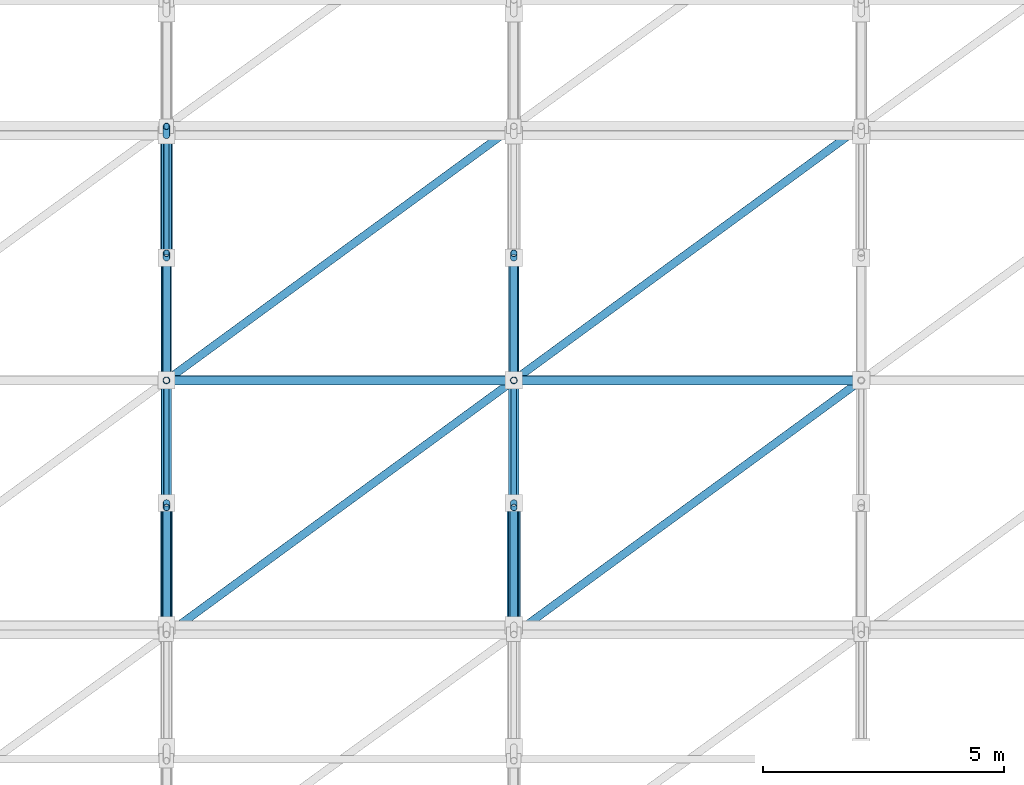
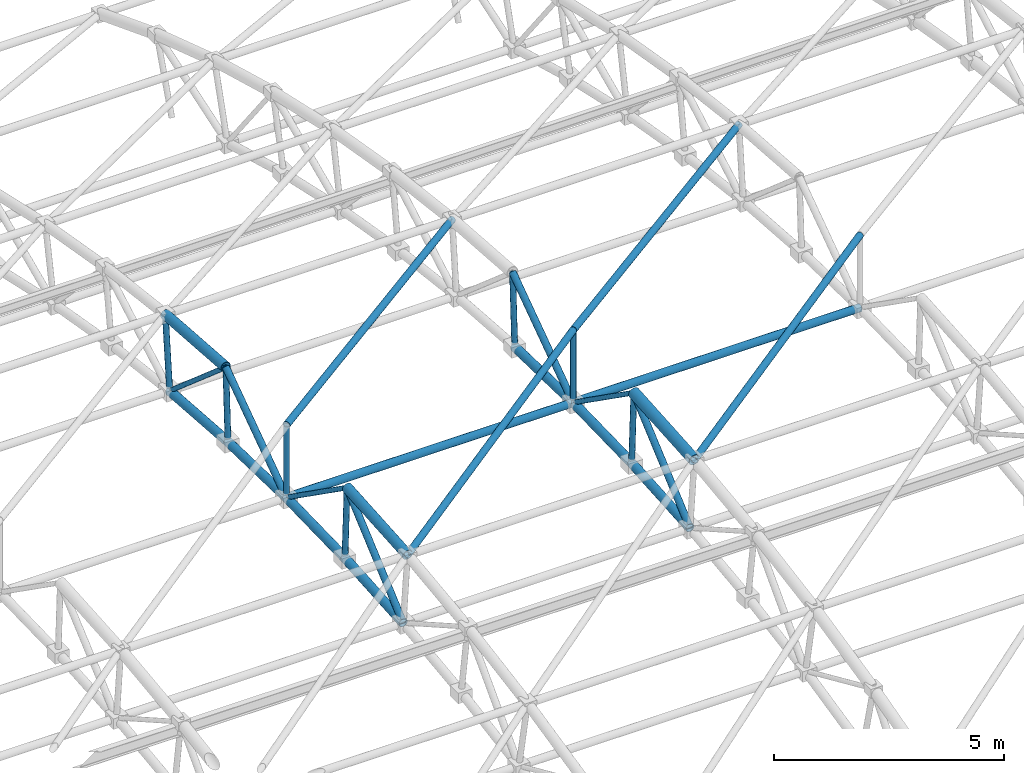
# One storey, part 19 of 41: 30 members.
"""IFC4 building model written with IfcOpenShell, lengths in metres."""

from ifc_helpers import new_model, si_unit, direction, frame, origin, origin_2d, place, context, subcontext, project, spatial, hollow_circle, extrude, material, material_profile, profile_set, type_object, element, save


model = new_model("IFC4")

# Units and contexts
model_context = context("Model", 3, precision=1e-05, world=origin(), true_north=direction((0.0, 1.0)))
body_context = subcontext(model_context, "Body", "Model", "MODEL_VIEW")
ifc_project = project(units=[si_unit("LENGTHUNIT", "METRE"), si_unit("AREAUNIT", "SQUARE_METRE"), si_unit("VOLUMEUNIT", "CUBIC_METRE"), si_unit("PLANEANGLEUNIT", "RADIAN"), si_unit("MASSUNIT", "GRAM", prefix="KILO")], contexts=[model_context])

# Site, building, storey
site_placement = place(None, origin())
site = spatial("IfcSite", under=ifc_project, at=site_placement, CompositionType="ELEMENT")
building_placement = place(site_placement, origin())
building = spatial("IfcBuilding", under=site, at=building_placement, Name="Malvenik Polytechnic", CompositionType="ELEMENT")
storey_placement = place(building_placement, frame((0.0, 0.0, 17.699951171875)))
storey = spatial("IfcBuildingStorey", under=building, at=storey_placement, Name="L04", CompositionType="ELEMENT", Elevation=17.699951171875)

# Members
ifc_material = material(Name="Steel S355J2H", Category="steel")
ifc_material_profile_1 = material_profile(ifc_material, hollow_circle(Radius=0.109619140625, WallThickness=0.010009765625, at=origin_2d()), Name="CHS 219.1x10.0")
ifc_profile_set_1 = profile_set([ifc_material_profile_1], Name="Steel S355J2H")
member_type_1 = type_object("IfcMemberType", Name="STR-MEM-SFB-02", PredefinedType="CHORD", material=ifc_profile_set_1)
for number, where, z_axis, x_axis, name in (
    (1, (170.39990234375, 59.72509765625, 2.155517578125), (0.0, 0.997310938626, 0.073286367738), (-1.0, 0.0, 0.0), "Space-Frame Tube SFB-02 STR-SF-BC-0506"),
    (2, (170.39990234375, 62.261474609375, 2.341796875), (0.0, 0.999700798264, 0.024460456869), (-1.0, 0.0, 0.0), "Space-Frame Tube SFB-02 STR-SF-BC-0508"),
):
    element("IfcMember", number, at=place(storey_placement, frame(where, z_axis=z_axis, x_axis=x_axis)), inside=storey, type_object=member_type_1, Name=name, PredefinedType="CHORD", context=body_context, shape_type="SweptSolid", body=[
        extrude(hollow_circle(Radius=0.109619140625, WallThickness=0.010009765625, at=origin_2d()), origin(), (0.0, 0.0, 1.0), 2.53515625),
    ])
member_1_placement = place(storey_placement, frame((170.39990234375, 64.803955078125, 2.40380859375), z_axis=(0.0, 0.999700855874, -0.024458102234), x_axis=(-1.0, 0.0, 0.0)))
element("IfcMember", 3, at=member_1_placement, inside=storey, type_object=member_type_1, Name="Space-Frame Tube SFB-02 STR-SF-BC-0510", PredefinedType="CHORD", context=body_context, shape_type="SweptSolid", body=[
    extrude(hollow_circle(Radius=0.109619140625, WallThickness=0.010009765625, at=origin_2d()), origin(), (0.0, 0.0, 1.0), 2.535400390625),
])
ifc_material_profile_2 = material_profile(ifc_material, hollow_circle(Radius=0.109619140625, WallThickness=0.008056640625, at=origin_2d()), Name="CHS 219.1x8.0")
ifc_profile_set_2 = profile_set([ifc_material_profile_2], Name="Steel S355J2H")
member_type_2 = type_object("IfcMemberType", Name="STR-MEM-SFB-03", PredefinedType="CHORD", material=ifc_profile_set_2)
for number, where, z_axis, x_axis, name in (
    (4, (163.199951171875, 59.72509765625, 2.155517578125), (0.0, 0.997310938626, 0.073286367738), (-1.0, 0.0, 0.0), "Space-Frame Tube SFB-03 STR-SF-BC-0409"),
    (5, (163.199951171875, 62.261474609375, 2.341796875), (0.0, 0.999700798264, 0.024460456869), (-1.0, 0.0, 0.0), "Space-Frame Tube SFB-03 STR-SF-BC-0411"),
):
    element("IfcMember", number, at=place(storey_placement, frame(where, z_axis=z_axis, x_axis=x_axis)), inside=storey, type_object=member_type_2, Name=name, PredefinedType="CHORD", context=body_context, shape_type="SweptSolid", body=[
        extrude(hollow_circle(Radius=0.109619140625, WallThickness=0.008056640625, at=origin_2d()), origin(), (0.0, 0.0, 1.0), 2.53515625),
    ])
member_2_placement = place(storey_placement, frame((163.199951171875, 64.803955078125, 2.40380859375), z_axis=(0.0, 0.999700855874, -0.024458102234), x_axis=(-1.0, 0.0, 0.0)))
element("IfcMember", 6, at=member_2_placement, inside=storey, type_object=member_type_2, Name="Space-Frame Tube SFB-03 STR-SF-BC-0413", PredefinedType="CHORD", context=body_context, shape_type="SweptSolid", body=[
    extrude(hollow_circle(Radius=0.109619140625, WallThickness=0.008056640625, at=origin_2d()), origin(), (0.0, 0.0, 1.0), 2.535400390625),
])
member_3_placement = place(storey_placement, frame((163.199951171875, 67.3466796875, 2.34130859375), z_axis=(0.0, 0.997310938626, -0.073286367738), x_axis=(-1.0, 0.0, 0.0)))
element("IfcMember", 7, at=member_3_placement, inside=storey, type_object=member_type_2, Name="Space-Frame Tube SFB-03 STR-SF-BC-0415", PredefinedType="CHORD", context=body_context, shape_type="SweptSolid", body=[
    extrude(hollow_circle(Radius=0.109619140625, WallThickness=0.008056640625, at=origin_2d()), origin(), (0.0, 0.0, 1.0), 2.53515625),
])
ifc_material_profile_3 = material_profile(ifc_material, hollow_circle(Radius=0.084228515625, WallThickness=0.00634765625, at=origin_2d()), Name="CHS 168.3x6.3")
ifc_profile_set_3 = profile_set([ifc_material_profile_3], Name="Steel S355J2H")
member_type_3 = type_object("IfcMemberType", Name="STR-MEM-SFD-02", PredefinedType="BRACE", material=ifc_profile_set_3)
for number, where, z_axis, x_axis, name in (
    (8, (163.199951171875, 59.72412109375, 2.157958984375), (0.0, 0.756869052153, 0.653566552), (-1.0, 0.0, 0.0), "Space-Frame Tube SFD-02 STR-SF-AD-0472"),
    (9, (163.199951171875, 64.80322265625, 2.40625), (0.0, 0.817091860907, 0.576507494175), (-1.0, 0.0, 0.0), "Space-Frame Tube SFD-02 STR-SF-AD-0474"),
    (10, (170.39990234375, 59.72412109375, 2.157958984375), (0.0, 0.756869052153, 0.653566552), (-1.0, 0.0, 0.0), "Space-Frame Tube SFD-02 STR-SF-AD-0569"),
    (11, (170.39990234375, 64.80322265625, 2.40625), (0.0, 0.817091860907, 0.576507494175), (-1.0, 0.0, 0.0), "Space-Frame Tube SFD-02 STR-SF-AD-0571"),
):
    element("IfcMember", number, at=place(storey_placement, frame(where, z_axis=z_axis, x_axis=x_axis)), inside=storey, type_object=member_type_3, Name=name, PredefinedType="BRACE", context=body_context, shape_type="SweptSolid", body=[
        extrude(hollow_circle(Radius=0.084228515625, WallThickness=0.00634765625, at=origin_2d()), origin(), (0.0, 0.0, 1.0), 3.218994140625),
    ])
for number, where, z_axis, x_axis, name in (
    (12, (163.203125, 59.535400390625, 4.071044921875), (0.806768013469, 0.590160453498, 0.028913864661), (-0.590407298766, 0.807105458762, 0.0), "Space-Frame Tube SFD-02 STR-SF-SD-0976"),
    (13, (163.203125, 64.802490234375, 4.328857421875), (0.806768013469, 0.590160453498, -0.028913864661), (-0.590407298766, 0.807105458762, 0.0), "Space-Frame Tube SFD-02 STR-SF-SD-0977"),
):
    element("IfcMember", number, at=place(storey_placement, frame(where, z_axis=z_axis, x_axis=x_axis)), inside=storey, type_object=member_type_3, Name=name, PredefinedType="BRACE", context=body_context, shape_type="SweptSolid", body=[
        extrude(hollow_circle(Radius=0.084228515625, WallThickness=0.00634765625, at=origin_2d()), origin(), (0.0, 0.0, 1.0), 8.91650390625),
    ])
for number, where, z_axis, x_axis, name in (
    (14, (170.4033203125, 59.535400390625, 4.071044921875), (0.806758453907, 0.590173490209, 0.028914503371), (-0.590420351843, 0.807095910118, 0.0), "Space-Frame Tube SFD-02 STR-SF-SD-1018"),
    (15, (170.4033203125, 64.802490234375, 4.328857421875), (0.806758453907, 0.590173490209, -0.028914503371), (-0.590420351843, 0.807095910118, 0.0), "Space-Frame Tube SFD-02 STR-SF-SD-1019"),
):
    element("IfcMember", number, at=place(storey_placement, frame(where, z_axis=z_axis, x_axis=x_axis)), inside=storey, type_object=member_type_3, Name=name, PredefinedType="BRACE", context=body_context, shape_type="SweptSolid", body=[
        extrude(hollow_circle(Radius=0.084228515625, WallThickness=0.00634765625, at=origin_2d()), origin(), (0.0, 0.0, 1.0), 8.916259765625),
    ])
ifc_material_profile_4 = material_profile(ifc_material, hollow_circle(Radius=0.06982421875, WallThickness=0.00634765625, at=origin_2d()), Name="CHS 139.7x6.3")
ifc_profile_set_4 = profile_set([ifc_material_profile_4], Name="Steel S355J2H")
member_type_4 = type_object("IfcMemberType", Name="STR-MEM-SFD-03", PredefinedType="BRACE", material=ifc_profile_set_4)
member_4_placement = place(storey_placement, frame((163.199951171875, 62.257080078125, 2.345703125), z_axis=(0.0, -0.048781437095, 0.998809477025), x_axis=(1.0, 0.0, 0.0)))
element("IfcMember", 16, at=member_4_placement, inside=storey, type_object=member_type_4, Name="Space-Frame Tube SFD-03 STR-SF-WB-0448", PredefinedType="BRACE", context=body_context, shape_type="SweptSolid", body=[
    extrude(hollow_circle(Radius=0.06982421875, WallThickness=0.00634765625, at=origin_2d()), origin(), (0.0, 0.0, 1.0), 1.916748046875),
])
member_5_placement = place(storey_placement, frame((163.199951171875, 64.800048828125, 2.407958984375), z_axis=(0.0, 0.0, 1.0), x_axis=(1.0, 0.0, 0.0)))
element("IfcMember", 17, at=member_5_placement, inside=storey, type_object=member_type_4, Name="Space-Frame Tube SFD-03 STR-SF-WB-0449", PredefinedType="BRACE", context=body_context, shape_type="SweptSolid", body=[
    extrude(hollow_circle(Radius=0.06982421875, WallThickness=0.00634765625, at=origin_2d()), origin(), (0.0, 0.0, 1.0), 1.9169921875),
])
member_6_placement = place(storey_placement, frame((163.199951171875, 67.3427734375, 2.345703125), z_axis=(0.0, 0.048908499501, 0.998803263249), x_axis=(-1.0, 0.0, 0.0)))
element("IfcMember", 18, at=member_6_placement, inside=storey, type_object=member_type_4, Name="Space-Frame Tube SFD-03 STR-SF-WB-0450", PredefinedType="BRACE", context=body_context, shape_type="SweptSolid", body=[
    extrude(hollow_circle(Radius=0.06982421875, WallThickness=0.00634765625, at=origin_2d()), origin(), (0.0, 0.0, 1.0), 1.916748046875),
])
member_7_placement = place(storey_placement, frame((163.199951171875, 69.87939453125, 2.1591796875), z_axis=(0.0, 0.09767529924, 0.995218335803), x_axis=(-1.0, 0.0, 0.0)))
element("IfcMember", 19, at=member_7_placement, inside=storey, type_object=member_type_4, Name="Space-Frame Tube SFD-03 STR-SF-WB-0451", PredefinedType="BRACE", context=body_context, shape_type="SweptSolid", body=[
    extrude(hollow_circle(Radius=0.06982421875, WallThickness=0.00634765625, at=origin_2d()), origin(), (0.0, 0.0, 1.0), 1.917236328125),
])
member_8_placement = place(storey_placement, frame((170.39990234375, 62.257080078125, 2.345703125), z_axis=(0.0, -0.048781437095, 0.998809477025), x_axis=(1.0, 0.0, 0.0)))
element("IfcMember", 20, at=member_8_placement, inside=storey, type_object=member_type_4, Name="Space-Frame Tube SFD-03 STR-SF-WB-0545", PredefinedType="BRACE", context=body_context, shape_type="SweptSolid", body=[
    extrude(hollow_circle(Radius=0.06982421875, WallThickness=0.00634765625, at=origin_2d()), origin(), (0.0, 0.0, 1.0), 1.916748046875),
])
member_9_placement = place(storey_placement, frame((170.39990234375, 64.800048828125, 2.407958984375), z_axis=(0.0, 0.0, 1.0), x_axis=(1.0, 0.0, 0.0)))
element("IfcMember", 21, at=member_9_placement, inside=storey, type_object=member_type_4, Name="Space-Frame Tube SFD-03 STR-SF-WB-0546", PredefinedType="BRACE", context=body_context, shape_type="SweptSolid", body=[
    extrude(hollow_circle(Radius=0.06982421875, WallThickness=0.00634765625, at=origin_2d()), origin(), (0.0, 0.0, 1.0), 1.9169921875),
])
member_10_placement = place(storey_placement, frame((170.39990234375, 67.3427734375, 2.345703125), z_axis=(0.0, 0.048908499501, 0.998803263249), x_axis=(-1.0, 0.0, 0.0)))
element("IfcMember", 22, at=member_10_placement, inside=storey, type_object=member_type_4, Name="Space-Frame Tube SFD-03 STR-SF-WB-0547", PredefinedType="BRACE", context=body_context, shape_type="SweptSolid", body=[
    extrude(hollow_circle(Radius=0.06982421875, WallThickness=0.00634765625, at=origin_2d()), origin(), (0.0, 0.0, 1.0), 1.916748046875),
])
ifc_material_profile_5 = material_profile(ifc_material, hollow_circle(Radius=0.05712890625, WallThickness=0.0048828125, at=origin_2d()), Name="CHS 114.3x5.0")
ifc_profile_set_5 = profile_set([ifc_material_profile_5], Name="Steel S355J2H")
member_type_5 = type_object("IfcMemberType", Name="STR-MEM-SFD-04", PredefinedType="BRACE", material=ifc_profile_set_5)
for number, where, z_axis, x_axis, name in (
    (23, (163.199951171875, 62.16650390625, 4.261962890625), (0.0, 0.817091860907, -0.576507494175), (-1.0, 0.0, 0.0), "Space-Frame Tube SFD-04 STR-SF-AD-0473"),
    (24, (163.199951171875, 67.439697265625, 4.26171875), (0.0, 0.756869052153, -0.653566552), (-1.0, 0.0, 0.0), "Space-Frame Tube SFD-04 STR-SF-AD-0475"),
    (25, (170.39990234375, 62.16650390625, 4.261962890625), (0.0, 0.817091860907, -0.576507494175), (-1.0, 0.0, 0.0), "Space-Frame Tube SFD-04 STR-SF-AD-0570"),
):
    element("IfcMember", number, at=place(storey_placement, frame(where, z_axis=z_axis, x_axis=x_axis)), inside=storey, type_object=member_type_5, Name=name, PredefinedType="BRACE", context=body_context, shape_type="SweptSolid", body=[
        extrude(hollow_circle(Radius=0.05712890625, WallThickness=0.0048828125, at=origin_2d()), origin(), (0.0, 0.0, 1.0), 3.218994140625),
    ])
ifc_material_profile_6 = material_profile(ifc_material, hollow_circle(Radius=0.096923828125, WallThickness=0.008056640625, at=origin_2d()), Name="CHS 193.7x8.0")
ifc_profile_set_6 = profile_set([ifc_material_profile_6], Name="Steel S355J2H")
member_type_6 = type_object("IfcMemberType", Name="STR-MEM-SFL-01", PredefinedType="CHORD", material=ifc_profile_set_6)
for number, where, z_axis, x_axis, name in (
    (26, (163.2041015625, 64.800048828125, 2.40380859375), (1.0, 0.0, 0.0), (0.0, 1.0, 0.0), "Space-Frame Tube SFL-01 STR-SF-LB-0957"),
    (27, (170.404052734375, 64.800048828125, 2.40380859375), (1.0, 0.0, 0.0), (0.0, 1.0, 0.0), "Space-Frame Tube SFL-01 STR-SF-LB-0999"),
):
    element("IfcMember", number, at=place(storey_placement, frame(where, z_axis=z_axis, x_axis=x_axis)), inside=storey, type_object=member_type_6, Name=name, PredefinedType="CHORD", context=body_context, shape_type="SweptSolid", body=[
        extrude(hollow_circle(Radius=0.096923828125, WallThickness=0.008056640625, at=origin_2d()), origin(), (0.0, 0.0, 1.0), 7.19189453125),
    ])
ifc_material_profile_7 = material_profile(ifc_material, hollow_circle(Radius=0.136474609375, WallThickness=0.012451171875, at=origin_2d()), Name="CHS 273.0x12.5")
ifc_profile_set_7 = profile_set([ifc_material_profile_7], Name="Steel S355J2H")
member_type_7 = type_object("IfcMemberType", Name="STR-MEM-SFT-02", PredefinedType="CHORD", material=ifc_profile_set_7)
member_11_placement = place(storey_placement, frame((170.39990234375, 59.537109375, 4.0712890625), z_axis=(0.0, 0.997305627523, 0.073358607611), x_axis=(-1.0, 0.0, 0.0)))
element("IfcMember", 28, at=member_11_placement, inside=storey, type_object=member_type_7, Name="Space-Frame Tube SFT-02 STR-SF-TC-0507", PredefinedType="CHORD", context=body_context, shape_type="SweptSolid", body=[
    extrude(hollow_circle(Radius=0.136474609375, WallThickness=0.012451171875, at=origin_2d()), origin(), (0.0, 0.0, 1.0), 2.629150390625),
])
ifc_material_profile_8 = material_profile(ifc_material, hollow_circle(Radius=0.122314453125, WallThickness=0.010009765625, at=origin_2d()), Name="CHS 244.5x10.0")
ifc_profile_set_8 = profile_set([ifc_material_profile_8], Name="Steel S355J2H")
member_type_8 = type_object("IfcMemberType", Name="STR-MEM-SFT-03", PredefinedType="CHORD", material=ifc_profile_set_8)
member_12_placement = place(storey_placement, frame((163.199951171875, 59.537109375, 4.0712890625), z_axis=(0.0, 0.997305627523, 0.073358607611), x_axis=(-1.0, 0.0, 0.0)))
element("IfcMember", 29, at=member_12_placement, inside=storey, type_object=member_type_8, Name="Space-Frame Tube SFT-03 STR-SF-TC-0410", PredefinedType="CHORD", context=body_context, shape_type="SweptSolid", body=[
    extrude(hollow_circle(Radius=0.122314453125, WallThickness=0.010009765625, at=origin_2d()), origin(), (0.0, 0.0, 1.0), 2.629150390625),
])
member_13_placement = place(storey_placement, frame((163.199951171875, 67.440673828125, 4.26416015625), z_axis=(0.0, 0.997306127173, -0.073351814586), x_axis=(-1.0, 0.0, 0.0)))
element("IfcMember", 30, at=member_13_placement, inside=storey, type_object=member_type_8, Name="Space-Frame Tube SFT-03 STR-SF-TC-0416", PredefinedType="CHORD", context=body_context, shape_type="SweptSolid", body=[
    extrude(hollow_circle(Radius=0.122314453125, WallThickness=0.010009765625, at=origin_2d()), origin(), (0.0, 0.0, 1.0), 2.62939453125),
])

save(model, "model.ifc")
